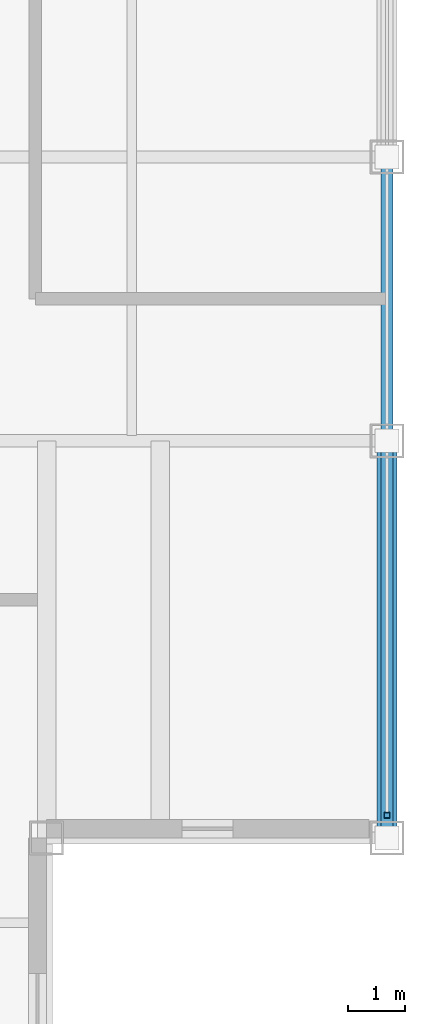
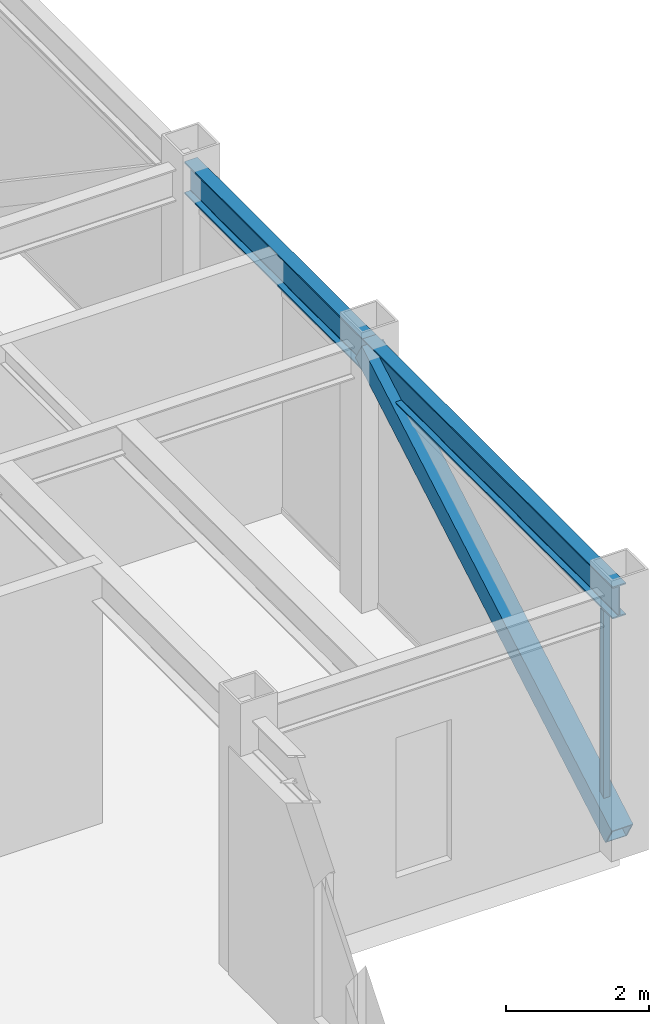
# One storey, part 10 of 27: 2 beams, 2 members, 1 element without a shape of its own.
"""IFC4 building model written with IfcOpenShell, lengths in metres."""

from ifc_helpers import new_model, si_unit, direction, frame, origin, origin_2d, place, context, subcontext, project, spatial, hollow_rectangle, i_section, extrude, source, transform, mapped, material, material_profile, profile_set, type_object, element, aggregate, save


model = new_model("IFC4")

# Units and contexts
model_context = context("Model", 3, precision=1e-05, world=origin(), true_north=direction((0.0, 1.0)))
body_context = subcontext(model_context, "Body", "Model", "MODEL_VIEW")
ifc_project = project(units=[si_unit("LENGTHUNIT", "METRE"), si_unit("AREAUNIT", "SQUARE_METRE"), si_unit("VOLUMEUNIT", "CUBIC_METRE"), si_unit("PLANEANGLEUNIT", "RADIAN"), si_unit("MASSUNIT", "GRAM", prefix="KILO")], contexts=[model_context])

# Site, building, storey
site_placement = place(None, origin())
site = spatial("IfcSite", under=ifc_project, at=site_placement, CompositionType="ELEMENT")
building_placement = place(site_placement, origin())
building = spatial("IfcBuilding", under=site, at=building_placement, Name="Khorayat Bourse Tower", CompositionType="ELEMENT")
storey_placement = place(building_placement, frame((0.0, 0.0, 380.300048828125)))
storey = spatial("IfcBuildingStorey", under=building, at=storey_placement, Name="L90", CompositionType="ELEMENT", Elevation=380.300048828125)

# Beams
ifc_material_1 = material(Name="Steel ASTM A992 Grade 50", Category="steel")
ifc_material_profile_1 = material_profile(ifc_material_1, i_section(OverallWidth=0.214111328125, OverallDepth=0.549072265625, WebThickness=0.0146484375, FlangeThickness=0.023681640625, FilletRadius=0.013916015625, at=origin_2d()), Name="W530X138")
ifc_profile_set_1 = profile_set([ifc_material_profile_1], Name="Steel ASTM A992 Grade 50")
beam_type = type_object("IfcBeamType", Name="BM-SPAN-530", PredefinedType="SPANDREL", material=ifc_profile_set_1)
shared_shape_1 = source(origin(), body_context, "Body", "SweptSolid", [
    extrude(i_section(OverallWidth=0.214111328125, OverallDepth=0.549072265625, WebThickness=0.0146484375, FlangeThickness=0.023681640625, FilletRadius=0.013916015625, at=origin_2d()), origin(), (0.0, 0.0, 1.0), 5.0),
])
beam_1_placement = place(storey_placement, frame((24.0, -11.0, 4.175537109375), z_axis=(0.0, 1.0, 0.0), x_axis=(-1.0, 0.0, 0.0)))
element("IfcBeam", 1, at=beam_1_placement, inside=storey, type_object=beam_type, Name="L90 BM-SPAN-530 BM-L90-SPN-033", PredefinedType="SPANDREL", context=body_context, shape_type="MappedRepresentation", body=[
    mapped(shared_shape_1, transform((0.0, 0.0, 0.0), scale=1.0)),
])
shared_shape_2 = source(origin(), body_context, "Body", "SweptSolid", [
    extrude(i_section(OverallWidth=0.214111328125, OverallDepth=0.549072265625, WebThickness=0.0146484375, FlangeThickness=0.023681640625, FilletRadius=0.013916015625, at=origin_2d()), origin(), (0.0, 0.0, 1.0), 7.0),
])
beam_2_placement = place(storey_placement, frame((24.0, -18.0, 4.175537109375), z_axis=(0.0, 1.0, 0.0), x_axis=(-1.0, 0.0, 0.0)))
element("IfcBeam", 2, at=beam_2_placement, inside=storey, type_object=beam_type, Name="L90 BM-SPAN-530 BM-L90-SPN-032", PredefinedType="SPANDREL", context=body_context, shape_type="MappedRepresentation", body=[
    mapped(shared_shape_2, transform((0.0, 0.0, 0.0), scale=1.0)),
])

# Member
ifc_material_2 = material(Name="Steel EN 10025-2 S355J2", Category="steel")
ifc_material_profile_2 = material_profile(ifc_material_2, hollow_rectangle(XDim=0.35009765625, YDim=0.35009765625, WallThickness=0.02001953125, at=origin_2d()), Name="HSS 350x350x20")
ifc_profile_set_2 = profile_set([ifc_material_profile_2], Name="Steel EN 10025-2 S355J2")
member_type_1 = type_object("IfcMemberType", Name="MBR-CROWN-350", PredefinedType="USERDEFINED", material=ifc_profile_set_2)
shared_shape_3 = source(origin(), body_context, "Body", "SweptSolid", [
    extrude(hollow_rectangle(XDim=0.35009765625, YDim=0.35009765625, WallThickness=0.02001953125, at=origin_2d()), origin(), (0.0, 0.0, 1.0), 8.087158203125),
])
member_1_placement = place(storey_placement, frame((24.0, -18.0, 0.199951171875), z_axis=(0.0, 0.865564731219, 0.500797060763), x_axis=(-1.0, 0.0, 0.0)))
element("IfcMember", 3, at=member_1_placement, inside=storey, type_object=member_type_1, Name="L90 Lantern Crown Frame Member 13", ObjectType="CROWN FRAME", PredefinedType="USERDEFINED", context=body_context, shape_type="MappedRepresentation", body=[
    mapped(shared_shape_3, transform((0.0, 0.0, 0.0), scale=1.0)),
])

# Curtain wall, member
ifc_material_3 = material(Name="Aluminium EN AW-6063 T6", Category="aluminium")
curtain_wall_type = type_object("IfcCurtainWallType", Name="CW-SYS-07", PredefinedType="NOTDEFINED", material=ifc_material_3)
curtain_wall_placement = place(storey_placement, origin())
curtain_wall = element("IfcCurtainWall", 4, at=curtain_wall_placement, inside=storey, type_object=curtain_wall_type, Name="L90 Curtain Wall CW-L90-E1", PredefinedType="NOTDEFINED")
ifc_material_profile_3 = material_profile(ifc_material_3, hollow_rectangle(XDim=0.10009765625, YDim=0.10009765625, WallThickness=0.0048828125, at=origin_2d()), Name="ALU 100x100x5")
ifc_profile_set_3 = profile_set([ifc_material_profile_3], Name="Aluminium EN AW-6063 T6")
member_type_2 = type_object("IfcMemberType", Name="CWM-LANTERN-100", PredefinedType="MULLION", material=ifc_profile_set_3)
shared_shape_4 = source(origin(), body_context, "Body", "SweptSolid", [
    extrude(hollow_rectangle(XDim=0.10009765625, YDim=0.10009765625, WallThickness=0.0048828125, at=origin_2d()), origin(), (0.0, 0.0, 1.0), 3.800048828125),
])
member_2_placement = place(storey_placement, frame((24.0, -17.60009765625, 0.0), z_axis=(0.0, 0.0, 1.0), x_axis=(-1.0, 0.0, 0.0)))
member_2 = element("IfcMember", 5, at=member_2_placement, type_object=member_type_2, Name="CW-L90-E1 Vertical Mullion 1", PredefinedType="MULLION", context=body_context, shape_type="MappedRepresentation", body=[
    mapped(shared_shape_4, transform((0.0, 0.0, 0.0), scale=1.0)),
])
aggregate(curtain_wall, [member_2])

save(model, "model.ifc")
